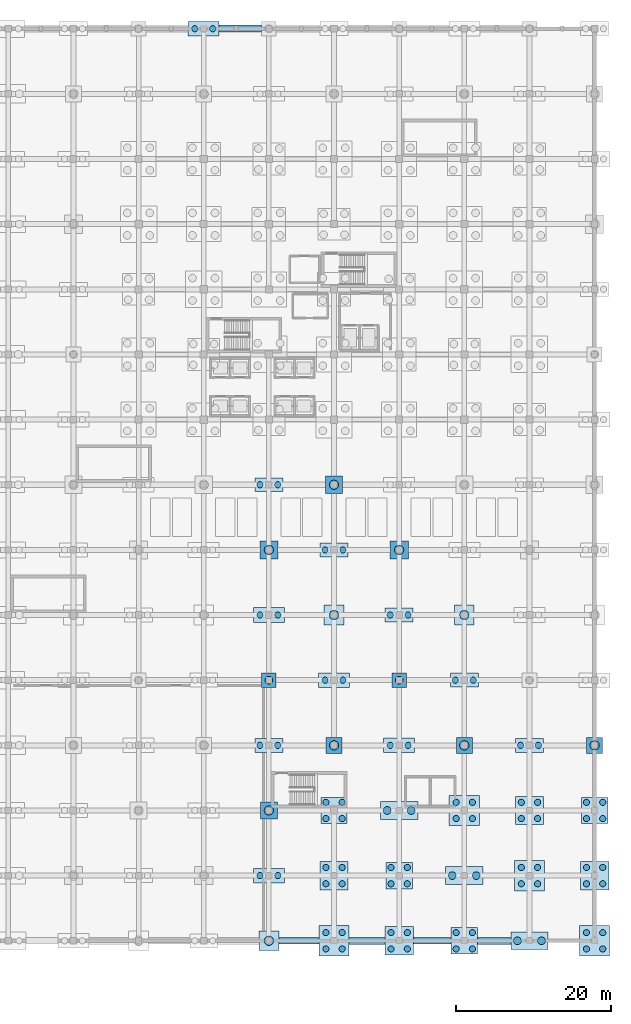
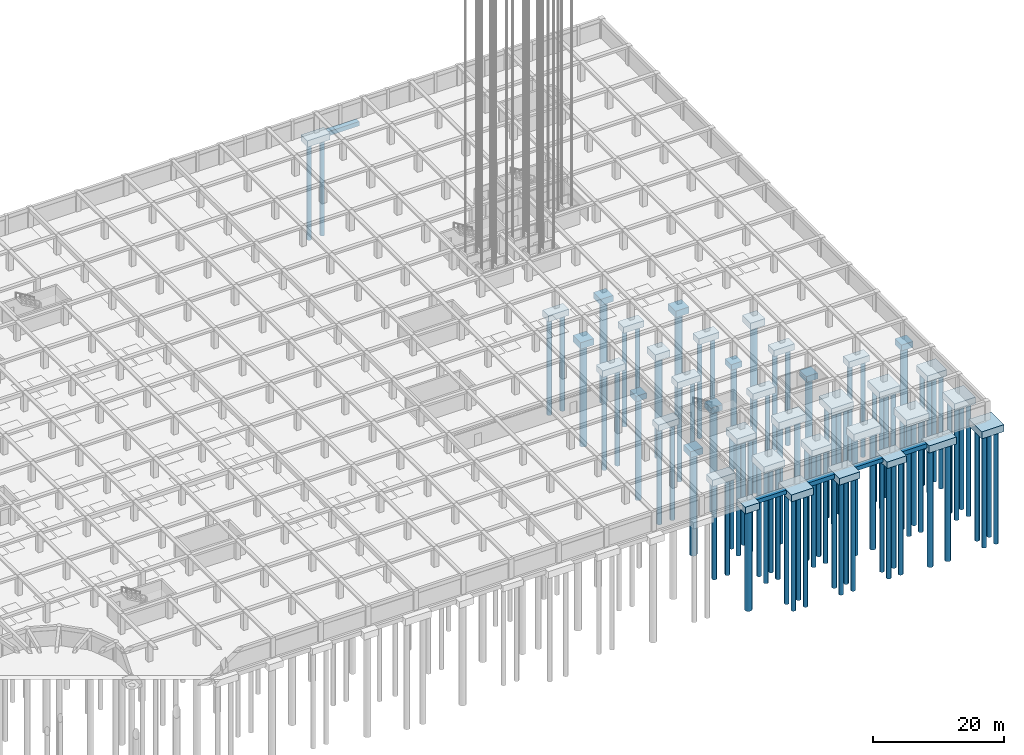
# One storey, part 6 of 47: 88 piles, 43 footings.
"""IFC4 building model written with IfcOpenShell, lengths in metres."""

from ifc_helpers import new_model, si_unit, direction, frame, origin, origin_2d, place, context, subcontext, project, spatial, rectangle, circle, extrude, material, layer, layer_set, material_profile, profile_set, type_object, element, save


model = new_model("IFC4")

# Units and contexts
model_context = context("Model", 3, precision=1e-05, world=origin(), true_north=direction((0.0, 1.0)))
body_context = subcontext(model_context, "Body", "Model", "MODEL_VIEW")
ifc_project = project(units=[si_unit("LENGTHUNIT", "METRE"), si_unit("AREAUNIT", "SQUARE_METRE"), si_unit("VOLUMEUNIT", "CUBIC_METRE"), si_unit("PLANEANGLEUNIT", "RADIAN"), si_unit("MASSUNIT", "GRAM", prefix="KILO")], contexts=[model_context])

# Site, building, storey
site_placement = place(None, origin())
site = spatial("IfcSite", under=ifc_project, at=site_placement, CompositionType="ELEMENT")
building_placement = place(site_placement, origin())
building = spatial("IfcBuilding", under=site, at=building_placement, Name="Almacenes y Pasaje Nevantli", CompositionType="ELEMENT")
storey_placement = place(building_placement, frame((0.0, 0.0, -8.10009765625)))
storey = spatial("IfcBuildingStorey", under=building, at=storey_placement, Name="B02", CompositionType="ELEMENT", Elevation=-8.10009765625)

# Footings
ifc_material_1 = material(Name="Concrete C45/55", Category="concrete")
ifc_layer_1 = layer(ifc_material_1, 1.35009765625)
ifc_layer_set_1 = layer_set([ifc_layer_1], Name="Concrete C45/55")
footing_type_1 = type_object("IfcFootingType", Name="FT-PC-05", PredefinedType="PILE_CAP", material=ifc_layer_set_1)
for number, where, z_axis, x_axis, name in (
    (1, (142.800048828125, 16.800048828125, -1.849853515625), (0.0, 0.0, 1.0), (1.0, 0.0, 0.0), "Reinforced Concrete Pile Cap PC-05 #250"),
    (2, (151.199951171875, 8.39990234375, -1.849853515625), (0.0, 0.0, 1.0), (1.0, 0.0, 0.0), "Reinforced Concrete Pile Cap PC-05 #264"),
    (3, (159.60009765625, 0.0, -1.849853515625), (0.0, 0.0, 1.0), (1.0, 0.0, 0.0), "Reinforced Concrete Pile Cap PC-05 #278"),
):
    element("IfcFooting", number, at=place(storey_placement, frame(where, z_axis=z_axis, x_axis=x_axis)), inside=storey, type_object=footing_type_1, Name=name, PredefinedType="PILE_CAP", context=body_context, shape_type="SweptSolid", body=[
        extrude(rectangle(XDim=4.800048828125, YDim=2.300048828125, at=origin_2d()), origin(), (0.0, 0.0, 1.0), 1.35009765625),
    ])
ifc_material_2 = material(Name="Concrete C45/55", Category="concrete")
ifc_layer_2 = layer(ifc_material_2, 1.199951171875)
ifc_layer_set_2 = layer_set([ifc_layer_2], Name="Concrete C45/55")
footing_type_2 = type_object("IfcFootingType", Name="FT-PC-09", PredefinedType="PILE_CAP", material=ifc_layer_set_2)
for number, where, z_axis, x_axis, name in (
    (4, (117.60009765625, 117.60009765625, -1.69970703125), (0.0, 0.0, 1.0), (1.0, 0.0, 0.0), "Reinforced Concrete Pile Cap PC-09 #217"),
    (5, (126.0, 8.39990234375, -1.69970703125), (0.0, 0.0, 1.0), (1.0, 0.0, 0.0), "Reinforced Concrete Pile Cap PC-09 #219"),
    (6, (126.0, 42.0, -1.69970703125), (0.0, 0.0, 1.0), (1.0, 0.0, 0.0), "Reinforced Concrete Pile Cap PC-09 #223"),
    (7, (134.39990234375, 33.60009765625, -1.69970703125), (0.0, 0.0, 1.0), (1.0, 0.0, 0.0), "Reinforced Concrete Pile Cap PC-09 #237"),
    (8, (142.800048828125, 25.199951171875, -1.69970703125), (0.0, 0.0, 1.0), (1.0, 0.0, 0.0), "Reinforced Concrete Pile Cap PC-09 #251"),
):
    element("IfcFooting", number, at=place(storey_placement, frame(where, z_axis=z_axis, x_axis=x_axis)), inside=storey, type_object=footing_type_2, Name=name, PredefinedType="PILE_CAP", context=body_context, shape_type="SweptSolid", body=[
        extrude(rectangle(XDim=4.0, YDim=1.89990234375, at=origin_2d()), origin(), (0.0, 0.0, 1.0), 1.199951171875),
    ])
ifc_material_3 = material(Name="Concrete C45/55", Category="concrete")
ifc_layer_3 = layer(ifc_material_3, 1.14990234375)
ifc_layer_set_3 = layer_set([ifc_layer_3], Name="Concrete C45/55")
footing_type_3 = type_object("IfcFootingType", Name="FT-PC-11", PredefinedType="PILE_CAP", material=ifc_layer_set_3)
for number, where, z_axis, x_axis, name in (
    (9, (126.0, 25.199951171875, -1.64990234375), (0.0, 0.0, 1.0), (1.0, 0.0, 0.0), "Reinforced Concrete Pile Cap PC-11 #221"),
    (10, (126.0, 58.800048828125, -1.64990234375), (0.0, 0.0, 1.0), (1.0, 0.0, 0.0), "Reinforced Concrete Pile Cap PC-11 #225"),
    (11, (134.39990234375, 50.39990234375, -1.64990234375), (0.0, 0.0, 1.0), (1.0, 0.0, 0.0), "Reinforced Concrete Pile Cap PC-11 #239"),
    (12, (142.800048828125, 42.0, -1.64990234375), (0.0, 0.0, 1.0), (1.0, 0.0, 0.0), "Reinforced Concrete Pile Cap PC-11 #253"),
    (13, (151.199951171875, 33.60009765625, -1.64990234375), (0.0, 0.0, 1.0), (1.0, 0.0, 0.0), "Reinforced Concrete Pile Cap PC-11 #267"),
    (14, (159.60009765625, 25.199951171875, -1.64990234375), (0.0, 0.0, 1.0), (1.0, 0.0, 0.0), "Reinforced Concrete Pile Cap PC-11 #281"),
):
    element("IfcFooting", number, at=place(storey_placement, frame(where, z_axis=z_axis, x_axis=x_axis)), inside=storey, type_object=footing_type_3, Name=name, PredefinedType="PILE_CAP", context=body_context, shape_type="SweptSolid", body=[
        extrude(rectangle(XDim=3.60009765625, YDim=1.800048828125, at=origin_2d()), origin(), (0.0, 0.0, 1.0), 1.14990234375),
    ])
ifc_material_4 = material(Name="Concrete C45/55", Category="concrete")
ifc_layer_4 = layer(ifc_material_4, 1.300048828125)
ifc_layer_set_4 = layer_set([ifc_layer_4], Name="Concrete C45/55")
footing_type_4 = type_object("IfcFootingType", Name="FT-PC-12", PredefinedType="PILE_CAP", material=ifc_layer_set_4)
for number, where, z_axis, x_axis, name in (
    (15, (134.39990234375, 0.0, -1.7998046875), (0.0, 0.0, 1.0), (1.0, 0.0, 0.0), "Reinforced Concrete Pile Cap PC-12 #233"),
    (16, (151.199951171875, 16.800048828125, -1.7998046875), (0.0, 0.0, 1.0), (1.0, 0.0, 0.0), "Reinforced Concrete Pile Cap PC-12 #265"),
    (17, (159.60009765625, 8.39990234375, -1.7998046875), (0.0, 0.0, 1.0), (1.0, 0.0, 0.0), "Reinforced Concrete Pile Cap PC-12 #279"),
    (18, (168.0, 0.0, -1.7998046875), (0.0, 0.0, 1.0), (1.0, 0.0, 0.0), "Reinforced Concrete Pile Cap PC-12 #293"),
):
    element("IfcFooting", number, at=place(storey_placement, frame(where, z_axis=z_axis, x_axis=x_axis)), inside=storey, type_object=footing_type_4, Name=name, PredefinedType="PILE_CAP", context=body_context, shape_type="SweptSolid", body=[
        extrude(rectangle(XDim=3.89990234375, YDim=3.89990234375, at=origin_2d()), origin(), (0.0, 0.0, 1.0), 1.300048828125),
    ])
ifc_material_5 = material(Name="Concrete C45/55", Category="concrete")
ifc_layer_5 = layer(ifc_material_5, 1.25)
ifc_layer_set_5 = layer_set([ifc_layer_5], Name="Concrete C45/55")
footing_type_5 = type_object("IfcFootingType", Name="FT-PC-13", PredefinedType="PILE_CAP", material=ifc_layer_set_5)
for number, where, z_axis, x_axis, name in (
    (19, (134.39990234375, 8.39990234375, -1.75), (0.0, 0.0, 1.0), (1.0, 0.0, 0.0), "Reinforced Concrete Pile Cap PC-13 #234"),
    (20, (142.800048828125, 0.0, -1.75), (0.0, 0.0, 1.0), (1.0, 0.0, 0.0), "Reinforced Concrete Pile Cap PC-13 #248"),
    (21, (159.60009765625, 16.800048828125, -1.75), (0.0, 0.0, 1.0), (1.0, 0.0, 0.0), "Reinforced Concrete Pile Cap PC-13 #280"),
    (22, (168.0, 8.39990234375, -1.75), (0.0, 0.0, 1.0), (1.0, 0.0, 0.0), "Reinforced Concrete Pile Cap PC-13 #294"),
):
    element("IfcFooting", number, at=place(storey_placement, frame(where, z_axis=z_axis, x_axis=x_axis)), inside=storey, type_object=footing_type_5, Name=name, PredefinedType="PILE_CAP", context=body_context, shape_type="SweptSolid", body=[
        extrude(rectangle(XDim=3.64990234375, YDim=3.64990234375, at=origin_2d()), origin(), (0.0, 0.0, 1.0), 1.25),
    ])
ifc_material_6 = material(Name="Concrete C45/55", Category="concrete")
ifc_layer_6 = layer(ifc_material_6, 1.199951171875)
ifc_layer_set_6 = layer_set([ifc_layer_6], Name="Concrete C45/55")
footing_type_6 = type_object("IfcFootingType", Name="FT-PC-14", PredefinedType="PILE_CAP", material=ifc_layer_set_6)
for number, where, z_axis, x_axis, name in (
    (23, (134.39990234375, 16.800048828125, -1.69970703125), (0.0, 0.0, 1.0), (1.0, 0.0, 0.0), "Reinforced Concrete Pile Cap PC-14 #235"),
    (24, (142.800048828125, 8.39990234375, -1.69970703125), (0.0, 0.0, 1.0), (1.0, 0.0, 0.0), "Reinforced Concrete Pile Cap PC-14 #249"),
    (25, (151.199951171875, 0.0, -1.69970703125), (0.0, 0.0, 1.0), (1.0, 0.0, 0.0), "Reinforced Concrete Pile Cap PC-14 #263"),
    (26, (168.0, 16.800048828125, -1.69970703125), (0.0, 0.0, 1.0), (1.0, 0.0, 0.0), "Reinforced Concrete Pile Cap PC-14 #295"),
):
    element("IfcFooting", number, at=place(storey_placement, frame(where, z_axis=z_axis, x_axis=x_axis)), inside=storey, type_object=footing_type_6, Name=name, PredefinedType="PILE_CAP", context=body_context, shape_type="SweptSolid", body=[
        extrude(rectangle(XDim=3.39990234375, YDim=3.39990234375, at=origin_2d()), origin(), (0.0, 0.0, 1.0), 1.199951171875),
    ])
ifc_material_7 = material(Name="Concrete C45/55", Category="concrete")
ifc_layer_7 = layer(ifc_material_7, 1.25)
ifc_layer_set_7 = layer_set([ifc_layer_7], Name="Concrete C45/55")
footing_type_7 = type_object("IfcFootingType", Name="FT-PC-15", PredefinedType="PILE_CAP", material=ifc_layer_set_7)
for number, where, z_axis, x_axis, name in (
    (27, (126.0, 0.0, -1.75), (0.0, 0.0, 1.0), (1.0, 0.0, 0.0), "Reinforced Concrete Pile Cap PC-15 #218"),
    (28, (134.39990234375, 42.0, -1.75), (0.0, 0.0, 1.0), (1.0, 0.0, 0.0), "Reinforced Concrete Pile Cap PC-15 #238"),
    (29, (151.199951171875, 42.0, -1.75), (0.0, 0.0, 1.0), (1.0, 0.0, 0.0), "Reinforced Concrete Pile Cap PC-15 #268"),
):
    element("IfcFooting", number, at=place(storey_placement, frame(where, z_axis=z_axis, x_axis=x_axis)), inside=storey, type_object=footing_type_7, Name=name, PredefinedType="PILE_CAP", context=body_context, shape_type="SweptSolid", body=[
        extrude(rectangle(XDim=2.550048828125, YDim=2.550048828125, at=origin_2d()), origin(), (0.0, 0.0, 1.0), 1.25),
    ])
ifc_material_8 = material(Name="Concrete C45/55", Category="concrete")
ifc_layer_8 = layer(ifc_material_8, 1.199951171875)
ifc_layer_set_8 = layer_set([ifc_layer_8], Name="Concrete C45/55")
footing_type_8 = type_object("IfcFootingType", Name="FT-PC-16", PredefinedType="PILE_CAP", material=ifc_layer_set_8)
for number, where, z_axis, x_axis, name in (
    (30, (126.0, 50.39990234375, -1.69970703125), (0.0, 0.0, 1.0), (1.0, 0.0, 0.0), "Reinforced Concrete Pile Cap PC-16 #224"),
    (31, (142.800048828125, 50.39990234375, -1.69970703125), (0.0, 0.0, 1.0), (1.0, 0.0, 0.0), "Reinforced Concrete Pile Cap PC-16 #254"),
):
    element("IfcFooting", number, at=place(storey_placement, frame(where, z_axis=z_axis, x_axis=x_axis)), inside=storey, type_object=footing_type_8, Name=name, PredefinedType="PILE_CAP", context=body_context, shape_type="SweptSolid", body=[
        extrude(rectangle(XDim=2.35009765625, YDim=2.35009765625, at=origin_2d()), origin(), (0.0, 0.0, 1.0), 1.199951171875),
    ])
ifc_material_9 = material(Name="Concrete C45/55", Category="concrete")
ifc_layer_9 = layer(ifc_material_9, 1.14990234375)
ifc_layer_set_9 = layer_set([ifc_layer_9], Name="Concrete C45/55")
footing_type_9 = type_object("IfcFootingType", Name="FT-PC-17", PredefinedType="PILE_CAP", material=ifc_layer_set_9)
for number, where, z_axis, x_axis, name in (
    (32, (126.0, 16.800048828125, -1.64990234375), (0.0, 0.0, 1.0), (1.0, 0.0, 0.0), "Reinforced Concrete Pile Cap PC-17 #220"),
    (33, (134.39990234375, 58.800048828125, -1.64990234375), (0.0, 0.0, 1.0), (1.0, 0.0, 0.0), "Reinforced Concrete Pile Cap PC-17 #240"),
):
    element("IfcFooting", number, at=place(storey_placement, frame(where, z_axis=z_axis, x_axis=x_axis)), inside=storey, type_object=footing_type_9, Name=name, PredefinedType="PILE_CAP", context=body_context, shape_type="SweptSolid", body=[
        extrude(rectangle(XDim=2.199951171875, YDim=2.199951171875, at=origin_2d()), origin(), (0.0, 0.0, 1.0), 1.14990234375),
    ])
ifc_material_10 = material(Name="Concrete C45/55", Category="concrete")
ifc_layer_10 = layer(ifc_material_10, 1.10009765625)
ifc_layer_set_10 = layer_set([ifc_layer_10], Name="Concrete C45/55")
footing_type_10 = type_object("IfcFootingType", Name="FT-PC-18", PredefinedType="PILE_CAP", material=ifc_layer_set_10)
for number, where, z_axis, x_axis, name in (
    (34, (134.39990234375, 25.199951171875, -1.599853515625), (0.0, 0.0, 1.0), (1.0, 0.0, 0.0), "Reinforced Concrete Pile Cap PC-18 #236"),
    (35, (151.199951171875, 25.199951171875, -1.599853515625), (0.0, 0.0, 1.0), (1.0, 0.0, 0.0), "Reinforced Concrete Pile Cap PC-18 #266"),
    (36, (168.0, 25.199951171875, -1.599853515625), (0.0, 0.0, 1.0), (1.0, 0.0, 0.0), "Reinforced Concrete Pile Cap PC-18 #296"),
):
    element("IfcFooting", number, at=place(storey_placement, frame(where, z_axis=z_axis, x_axis=x_axis)), inside=storey, type_object=footing_type_10, Name=name, PredefinedType="PILE_CAP", context=body_context, shape_type="SweptSolid", body=[
        extrude(rectangle(XDim=2.050048828125, YDim=2.050048828125, at=origin_2d()), origin(), (0.0, 0.0, 1.0), 1.10009765625),
    ])
ifc_material_11 = material(Name="Concrete C45/55", Category="concrete")
ifc_layer_11 = layer(ifc_material_11, 1.050048828125)
ifc_layer_set_11 = layer_set([ifc_layer_11], Name="Concrete C45/55")
footing_type_11 = type_object("IfcFootingType", Name="FT-PC-19", PredefinedType="PILE_CAP", material=ifc_layer_set_11)
for number, where, z_axis, x_axis, name in (
    (37, (126.0, 33.60009765625, -1.5498046875), (0.0, 0.0, 1.0), (1.0, 0.0, 0.0), "Reinforced Concrete Pile Cap PC-19 #222"),
    (38, (142.800048828125, 33.60009765625, -1.5498046875), (0.0, 0.0, 1.0), (1.0, 0.0, 0.0), "Reinforced Concrete Pile Cap PC-19 #252"),
):
    element("IfcFooting", number, at=place(storey_placement, frame(where, z_axis=z_axis, x_axis=x_axis)), inside=storey, type_object=footing_type_11, Name=name, PredefinedType="PILE_CAP", context=body_context, shape_type="SweptSolid", body=[
        extrude(rectangle(XDim=1.89990234375, YDim=1.89990234375, at=origin_2d()), origin(), (0.0, 0.0, 1.0), 1.050048828125),
    ])
ifc_material_12 = material(Name="Concrete C45/55", Category="concrete")
ifc_layer_12 = layer(ifc_material_12, 0.800048828125)
ifc_layer_set_12 = layer_set([ifc_layer_12], Name="Concrete C45/55")
footing_type_12 = type_object("IfcFootingType", Name="FT-SF-01", PredefinedType="STRIP_FOOTING", material=ifc_layer_set_12)
footing_1_placement = place(storey_placement, frame((122.324951171875, 117.60009765625, -1.2998046875), z_axis=(0.0, 0.0, 1.0), x_axis=(1.0, 0.0, 0.0)))
element("IfcFooting", 39, at=footing_1_placement, inside=storey, type_object=footing_type_12, Name="Continuous Perimeter Strip Footing #15", PredefinedType="STRIP_FOOTING", context=body_context, shape_type="SweptSolid", body=[
    extrude(rectangle(XDim=5.449951171875, YDim=0.89990234375, at=origin_2d()), origin(), (0.0, 0.0, 1.0), 0.800048828125),
])
footing_2_placement = place(storey_placement, frame((138.66259765625, 0.0, -1.2998046875), z_axis=(0.0, 0.0, 1.0), x_axis=(1.0, 0.0, 0.0)))
element("IfcFooting", 40, at=footing_2_placement, inside=storey, type_object=footing_type_12, Name="Continuous Perimeter Strip Footing #33", PredefinedType="STRIP_FOOTING", context=body_context, shape_type="SweptSolid", body=[
    extrude(rectangle(XDim=4.625, YDim=0.89990234375, at=origin_2d()), origin(), (0.0, 0.0, 1.0), 0.800048828125),
])
footing_3_placement = place(storey_placement, frame((155.050048828125, 0.0, -1.2998046875), z_axis=(0.0, 0.0, 1.0), x_axis=(1.0, 0.0, 0.0)))
element("IfcFooting", 41, at=footing_3_placement, inside=storey, type_object=footing_type_12, Name="Continuous Perimeter Strip Footing #35", PredefinedType="STRIP_FOOTING", context=body_context, shape_type="SweptSolid", body=[
    extrude(rectangle(XDim=4.300048828125, YDim=0.89990234375, at=origin_2d()), origin(), (0.0, 0.0, 1.0), 0.800048828125),
])
ifc_material_13 = material(Name="Concrete C45/55", Category="concrete")
ifc_layer_13 = layer(ifc_material_13, 0.75)
ifc_layer_set_13 = layer_set([ifc_layer_13], Name="Concrete C45/55")
footing_type_13 = type_object("IfcFootingType", Name="FT-SF-02", PredefinedType="STRIP_FOOTING", material=ifc_layer_set_13)
footing_4_placement = place(storey_placement, frame((129.862548828125, 0.0, -1.25), z_axis=(0.0, 0.0, 1.0), x_axis=(1.0, 0.0, 0.0)))
element("IfcFooting", 42, at=footing_4_placement, inside=storey, type_object=footing_type_13, Name="Continuous Perimeter Strip Footing #32", PredefinedType="STRIP_FOOTING", context=body_context, shape_type="SweptSolid", body=[
    extrude(rectangle(XDim=5.175048828125, YDim=0.85009765625, at=origin_2d()), origin(), (0.0, 0.0, 1.0), 0.75),
])
footing_5_placement = place(storey_placement, frame((147.0625, 0.0, -1.25), z_axis=(0.0, 0.0, 1.0), x_axis=(1.0, 0.0, 0.0)))
element("IfcFooting", 43, at=footing_5_placement, inside=storey, type_object=footing_type_13, Name="Continuous Perimeter Strip Footing #34", PredefinedType="STRIP_FOOTING", context=body_context, shape_type="SweptSolid", body=[
    extrude(rectangle(XDim=4.875, YDim=0.85009765625, at=origin_2d()), origin(), (0.0, 0.0, 1.0), 0.75),
])

# Piles
ifc_material_14 = material(Name="Concrete C45/55", Category="concrete")
ifc_material_profile_1 = material_profile(ifc_material_14, circle(Radius=0.5, at=origin_2d()), Name="RC-PILE-D1000")
ifc_profile_set_1 = profile_set([ifc_material_profile_1], Name="Concrete C45/55")
pile_type_1 = type_object("IfcPileType", Name="PL-BORED-1000", PredefinedType="BORED", material=ifc_profile_set_1)
pile_1_placement = place(storey_placement, frame((126.0, 33.60009765625, -1.5), z_axis=(0.0, 0.0, -1.0), x_axis=(1.0, 0.0, 0.0)))
element("IfcPile", 44, at=pile_1_placement, inside=storey, type_object=pile_type_1, Name="Bored Pile PL-1000 #383", PredefinedType="BORED", context=body_context, shape_type="SweptSolid", body=[
    extrude(circle(Radius=0.5, at=origin_2d()), origin(), (0.0, 0.0, 1.0), 19.0),
])
for number, where, z_axis, x_axis, name in (
    (45, (141.25, 16.800048828125, -1.7998046875), (0.0, 0.0, -1.0), (1.0, 0.0, 0.0), "Bored Pile PL-1000 #462"),
    (46, (144.35009765625, 16.800048828125, -1.7998046875), (0.0, 0.0, -1.0), (1.0, 0.0, 0.0), "Bored Pile PL-1000 #463"),
):
    element("IfcPile", number, at=place(storey_placement, frame(where, z_axis=z_axis, x_axis=x_axis)), inside=storey, type_object=pile_type_1, Name=name, PredefinedType="BORED", context=body_context, shape_type="SweptSolid", body=[
        extrude(circle(Radius=0.5, at=origin_2d()), origin(), (0.0, 0.0, 1.0), 22.0),
    ])
pile_2_placement = place(storey_placement, frame((142.800048828125, 33.60009765625, -1.5), z_axis=(0.0, 0.0, -1.0), x_axis=(1.0, 0.0, 0.0)))
element("IfcPile", 47, at=pile_2_placement, inside=storey, type_object=pile_type_1, Name="Bored Pile PL-1000 #466", PredefinedType="BORED", context=body_context, shape_type="SweptSolid", body=[
    extrude(circle(Radius=0.5, at=origin_2d()), origin(), (0.0, 0.0, 1.0), 19.0),
])
for number, where, z_axis, x_axis, name in (
    (48, (149.64990234375, 8.39990234375, -1.7998046875), (0.0, 0.0, -1.0), (1.0, 0.0, 0.0), "Bored Pile PL-1000 #499"),
    (49, (152.75, 8.39990234375, -1.7998046875), (0.0, 0.0, -1.0), (1.0, 0.0, 0.0), "Bored Pile PL-1000 #500"),
    (50, (158.050048828125, 0.0, -1.7998046875), (0.0, 0.0, -1.0), (1.0, 0.0, 0.0), "Bored Pile PL-1000 #535"),
    (51, (161.14990234375, 0.0, -1.7998046875), (0.0, 0.0, -1.0), (1.0, 0.0, 0.0), "Bored Pile PL-1000 #536"),
):
    element("IfcPile", number, at=place(storey_placement, frame(where, z_axis=z_axis, x_axis=x_axis)), inside=storey, type_object=pile_type_1, Name=name, PredefinedType="BORED", context=body_context, shape_type="SweptSolid", body=[
        extrude(circle(Radius=0.5, at=origin_2d()), origin(), (0.0, 0.0, 1.0), 22.0),
    ])
ifc_material_15 = material(Name="Concrete C45/55", Category="concrete")
ifc_material_profile_2 = material_profile(ifc_material_15, circle(Radius=0.60009765625, at=origin_2d()), Name="RC-PILE-D1200")
ifc_profile_set_2 = profile_set([ifc_material_profile_2], Name="Concrete C45/55")
pile_type_2 = type_object("IfcPileType", Name="PL-BORED-1200", PredefinedType="BORED", material=ifc_profile_set_2)
for number, where, z_axis, x_axis, name in (
    (52, (126.0, 0.0, -1.699951171875), (0.0, 0.0, -1.0), (1.0, 0.0, 0.0), "Bored Pile PL-1200 #377"),
    (53, (126.0, 16.800048828125, -1.599853515625), (0.0, 0.0, -1.0), (1.0, 0.0, 0.0), "Bored Pile PL-1200 #380"),
    (54, (126.0, 50.39990234375, -1.64990234375), (0.0, 0.0, -1.0), (1.0, 0.0, 0.0), "Bored Pile PL-1200 #386"),
    (55, (134.39990234375, 25.199951171875, -1.5498046875), (0.0, 0.0, -1.0), (1.0, 0.0, 0.0), "Bored Pile PL-1200 #424"),
    (56, (134.39990234375, 42.0, -1.699951171875), (0.0, 0.0, -1.0), (1.0, 0.0, 0.0), "Bored Pile PL-1200 #427"),
    (57, (134.39990234375, 58.800048828125, -1.599853515625), (0.0, 0.0, -1.0), (1.0, 0.0, 0.0), "Bored Pile PL-1200 #430"),
    (58, (142.800048828125, 50.39990234375, -1.64990234375), (0.0, 0.0, -1.0), (1.0, 0.0, 0.0), "Bored Pile PL-1200 #469"),
    (59, (151.199951171875, 25.199951171875, -1.5498046875), (0.0, 0.0, -1.0), (1.0, 0.0, 0.0), "Bored Pile PL-1200 #505"),
    (60, (151.199951171875, 42.0, -1.699951171875), (0.0, 0.0, -1.0), (1.0, 0.0, 0.0), "Bored Pile PL-1200 #508"),
    (61, (168.0, 25.199951171875, -1.5498046875), (0.0, 0.0, -1.0), (1.0, 0.0, 0.0), "Bored Pile PL-1200 #588"),
):
    element("IfcPile", number, at=place(storey_placement, frame(where, z_axis=z_axis, x_axis=x_axis)), inside=storey, type_object=pile_type_2, Name=name, PredefinedType="BORED", context=body_context, shape_type="SweptSolid", body=[
        extrude(circle(Radius=0.60009765625, at=origin_2d()), origin(), (0.0, 0.0, 1.0), 19.0),
    ])
ifc_material_16 = material(Name="Concrete C45/55", Category="concrete")
ifc_material_profile_3 = material_profile(ifc_material_16, circle(Radius=0.39990234375, at=origin_2d()), Name="RC-PILE-D800")
ifc_profile_set_3 = profile_set([ifc_material_profile_3], Name="Concrete C45/55")
pile_type_3 = type_object("IfcPileType", Name="PL-BORED-800", PredefinedType="BORED", material=ifc_profile_set_3)
for number, where, z_axis, x_axis, name in (
    (62, (116.449951171875, 117.60009765625, -1.64990234375), (0.0, 0.0, -1.0), (1.0, 0.0, 0.0), "Bored Pile PL-800 #375"),
    (63, (118.75, 117.60009765625, -1.64990234375), (0.0, 0.0, -1.0), (1.0, 0.0, 0.0), "Bored Pile PL-800 #376"),
    (64, (124.85009765625, 8.39990234375, -1.64990234375), (0.0, 0.0, -1.0), (1.0, 0.0, 0.0), "Bored Pile PL-800 #378"),
    (65, (127.14990234375, 8.39990234375, -1.64990234375), (0.0, 0.0, -1.0), (1.0, 0.0, 0.0), "Bored Pile PL-800 #379"),
    (66, (124.85009765625, 25.199951171875, -1.599853515625), (0.0, 0.0, -1.0), (1.0, 0.0, 0.0), "Bored Pile PL-800 #381"),
    (67, (127.14990234375, 25.199951171875, -1.599853515625), (0.0, 0.0, -1.0), (1.0, 0.0, 0.0), "Bored Pile PL-800 #382"),
    (68, (124.85009765625, 42.0, -1.64990234375), (0.0, 0.0, -1.0), (1.0, 0.0, 0.0), "Bored Pile PL-800 #384"),
    (69, (127.14990234375, 42.0, -1.64990234375), (0.0, 0.0, -1.0), (1.0, 0.0, 0.0), "Bored Pile PL-800 #385"),
    (70, (124.85009765625, 58.800048828125, -1.599853515625), (0.0, 0.0, -1.0), (1.0, 0.0, 0.0), "Bored Pile PL-800 #387"),
    (71, (127.14990234375, 58.800048828125, -1.599853515625), (0.0, 0.0, -1.0), (1.0, 0.0, 0.0), "Bored Pile PL-800 #388"),
):
    element("IfcPile", number, at=place(storey_placement, frame(where, z_axis=z_axis, x_axis=x_axis)), inside=storey, type_object=pile_type_3, Name=name, PredefinedType="BORED", context=body_context, shape_type="SweptSolid", body=[
        extrude(circle(Radius=0.39990234375, at=origin_2d()), origin(), (0.0, 0.0, 1.0), 18.0),
    ])
for number, where, z_axis, x_axis, name in (
    (72, (133.35009765625, -1.050048828125, -1.75), (0.0, 0.0, -1.0), (1.0, 0.0, 0.0), "Bored Pile PL-800 #412"),
    (73, (135.449951171875, -1.050048828125, -1.75), (0.0, 0.0, -1.0), (1.0, 0.0, 0.0), "Bored Pile PL-800 #413"),
    (74, (133.35009765625, 1.050048828125, -1.75), (0.0, 0.0, -1.0), (1.0, 0.0, 0.0), "Bored Pile PL-800 #414"),
    (75, (135.449951171875, 1.050048828125, -1.75), (0.0, 0.0, -1.0), (1.0, 0.0, 0.0), "Bored Pile PL-800 #415"),
    (76, (133.35009765625, 7.35009765625, -1.699951171875), (0.0, 0.0, -1.0), (1.0, 0.0, 0.0), "Bored Pile PL-800 #416"),
    (77, (135.449951171875, 7.35009765625, -1.699951171875), (0.0, 0.0, -1.0), (1.0, 0.0, 0.0), "Bored Pile PL-800 #417"),
    (78, (133.35009765625, 9.449951171875, -1.699951171875), (0.0, 0.0, -1.0), (1.0, 0.0, 0.0), "Bored Pile PL-800 #418"),
    (79, (135.449951171875, 9.449951171875, -1.699951171875), (0.0, 0.0, -1.0), (1.0, 0.0, 0.0), "Bored Pile PL-800 #419"),
    (80, (133.35009765625, 15.75, -1.64990234375), (0.0, 0.0, -1.0), (1.0, 0.0, 0.0), "Bored Pile PL-800 #420"),
    (81, (135.449951171875, 15.75, -1.64990234375), (0.0, 0.0, -1.0), (1.0, 0.0, 0.0), "Bored Pile PL-800 #421"),
    (82, (133.35009765625, 17.85009765625, -1.64990234375), (0.0, 0.0, -1.0), (1.0, 0.0, 0.0), "Bored Pile PL-800 #422"),
    (83, (135.449951171875, 17.85009765625, -1.64990234375), (0.0, 0.0, -1.0), (1.0, 0.0, 0.0), "Bored Pile PL-800 #423"),
):
    element("IfcPile", number, at=place(storey_placement, frame(where, z_axis=z_axis, x_axis=x_axis)), inside=storey, type_object=pile_type_3, Name=name, PredefinedType="BORED", context=body_context, shape_type="SweptSolid", body=[
        extrude(circle(Radius=0.39990234375, at=origin_2d()), origin(), (0.0, 0.0, 1.0), 21.0),
    ])
for number, where, z_axis, x_axis, name in (
    (84, (133.25, 33.60009765625, -1.64990234375), (0.0, 0.0, -1.0), (1.0, 0.0, 0.0), "Bored Pile PL-800 #425"),
    (85, (135.550048828125, 33.60009765625, -1.64990234375), (0.0, 0.0, -1.0), (1.0, 0.0, 0.0), "Bored Pile PL-800 #426"),
    (86, (133.25, 50.39990234375, -1.599853515625), (0.0, 0.0, -1.0), (1.0, 0.0, 0.0), "Bored Pile PL-800 #428"),
    (87, (135.550048828125, 50.39990234375, -1.599853515625), (0.0, 0.0, -1.0), (1.0, 0.0, 0.0), "Bored Pile PL-800 #429"),
):
    element("IfcPile", number, at=place(storey_placement, frame(where, z_axis=z_axis, x_axis=x_axis)), inside=storey, type_object=pile_type_3, Name=name, PredefinedType="BORED", context=body_context, shape_type="SweptSolid", body=[
        extrude(circle(Radius=0.39990234375, at=origin_2d()), origin(), (0.0, 0.0, 1.0), 18.0),
    ])
for number, where, z_axis, x_axis, name in (
    (88, (141.75, -1.050048828125, -1.699951171875), (0.0, 0.0, -1.0), (1.0, 0.0, 0.0), "Bored Pile PL-800 #454"),
    (89, (143.85009765625, -1.050048828125, -1.699951171875), (0.0, 0.0, -1.0), (1.0, 0.0, 0.0), "Bored Pile PL-800 #455"),
    (90, (141.75, 1.050048828125, -1.699951171875), (0.0, 0.0, -1.0), (1.0, 0.0, 0.0), "Bored Pile PL-800 #456"),
    (91, (143.85009765625, 1.050048828125, -1.699951171875), (0.0, 0.0, -1.0), (1.0, 0.0, 0.0), "Bored Pile PL-800 #457"),
    (92, (141.75, 7.35009765625, -1.64990234375), (0.0, 0.0, -1.0), (1.0, 0.0, 0.0), "Bored Pile PL-800 #458"),
    (93, (143.85009765625, 7.35009765625, -1.64990234375), (0.0, 0.0, -1.0), (1.0, 0.0, 0.0), "Bored Pile PL-800 #459"),
    (94, (141.75, 9.449951171875, -1.64990234375), (0.0, 0.0, -1.0), (1.0, 0.0, 0.0), "Bored Pile PL-800 #460"),
    (95, (143.85009765625, 9.449951171875, -1.64990234375), (0.0, 0.0, -1.0), (1.0, 0.0, 0.0), "Bored Pile PL-800 #461"),
):
    element("IfcPile", number, at=place(storey_placement, frame(where, z_axis=z_axis, x_axis=x_axis)), inside=storey, type_object=pile_type_3, Name=name, PredefinedType="BORED", context=body_context, shape_type="SweptSolid", body=[
        extrude(circle(Radius=0.39990234375, at=origin_2d()), origin(), (0.0, 0.0, 1.0), 21.0),
    ])
for number, where, z_axis, x_axis, name in (
    (96, (141.64990234375, 25.199951171875, -1.64990234375), (0.0, 0.0, -1.0), (1.0, 0.0, 0.0), "Bored Pile PL-800 #464"),
    (97, (143.949951171875, 25.199951171875, -1.64990234375), (0.0, 0.0, -1.0), (1.0, 0.0, 0.0), "Bored Pile PL-800 #465"),
    (98, (141.64990234375, 42.0, -1.599853515625), (0.0, 0.0, -1.0), (1.0, 0.0, 0.0), "Bored Pile PL-800 #467"),
    (99, (143.949951171875, 42.0, -1.599853515625), (0.0, 0.0, -1.0), (1.0, 0.0, 0.0), "Bored Pile PL-800 #468"),
):
    element("IfcPile", number, at=place(storey_placement, frame(where, z_axis=z_axis, x_axis=x_axis)), inside=storey, type_object=pile_type_3, Name=name, PredefinedType="BORED", context=body_context, shape_type="SweptSolid", body=[
        extrude(circle(Radius=0.39990234375, at=origin_2d()), origin(), (0.0, 0.0, 1.0), 18.0),
    ])
for number, where, z_axis, x_axis, name in (
    (100, (150.14990234375, -1.050048828125, -1.64990234375), (0.0, 0.0, -1.0), (1.0, 0.0, 0.0), "Bored Pile PL-800 #495"),
    (101, (152.25, -1.050048828125, -1.64990234375), (0.0, 0.0, -1.0), (1.0, 0.0, 0.0), "Bored Pile PL-800 #496"),
    (102, (150.14990234375, 1.050048828125, -1.64990234375), (0.0, 0.0, -1.0), (1.0, 0.0, 0.0), "Bored Pile PL-800 #497"),
    (103, (152.25, 1.050048828125, -1.64990234375), (0.0, 0.0, -1.0), (1.0, 0.0, 0.0), "Bored Pile PL-800 #498"),
    (104, (150.14990234375, 15.75, -1.75), (0.0, 0.0, -1.0), (1.0, 0.0, 0.0), "Bored Pile PL-800 #501"),
    (105, (152.25, 15.75, -1.75), (0.0, 0.0, -1.0), (1.0, 0.0, 0.0), "Bored Pile PL-800 #502"),
    (106, (150.14990234375, 17.85009765625, -1.75), (0.0, 0.0, -1.0), (1.0, 0.0, 0.0), "Bored Pile PL-800 #503"),
    (107, (152.25, 17.85009765625, -1.75), (0.0, 0.0, -1.0), (1.0, 0.0, 0.0), "Bored Pile PL-800 #504"),
):
    element("IfcPile", number, at=place(storey_placement, frame(where, z_axis=z_axis, x_axis=x_axis)), inside=storey, type_object=pile_type_3, Name=name, PredefinedType="BORED", context=body_context, shape_type="SweptSolid", body=[
        extrude(circle(Radius=0.39990234375, at=origin_2d()), origin(), (0.0, 0.0, 1.0), 21.0),
    ])
for number, where, z_axis, x_axis, name in (
    (108, (150.050048828125, 33.60009765625, -1.599853515625), (0.0, 0.0, -1.0), (1.0, 0.0, 0.0), "Bored Pile PL-800 #506"),
    (109, (152.35009765625, 33.60009765625, -1.599853515625), (0.0, 0.0, -1.0), (1.0, 0.0, 0.0), "Bored Pile PL-800 #507"),
):
    element("IfcPile", number, at=place(storey_placement, frame(where, z_axis=z_axis, x_axis=x_axis)), inside=storey, type_object=pile_type_3, Name=name, PredefinedType="BORED", context=body_context, shape_type="SweptSolid", body=[
        extrude(circle(Radius=0.39990234375, at=origin_2d()), origin(), (0.0, 0.0, 1.0), 18.0),
    ])
for number, where, z_axis, x_axis, name in (
    (110, (158.550048828125, 7.35009765625, -1.75), (0.0, 0.0, -1.0), (1.0, 0.0, 0.0), "Bored Pile PL-800 #537"),
    (111, (160.64990234375, 7.35009765625, -1.75), (0.0, 0.0, -1.0), (1.0, 0.0, 0.0), "Bored Pile PL-800 #538"),
    (112, (158.550048828125, 9.449951171875, -1.75), (0.0, 0.0, -1.0), (1.0, 0.0, 0.0), "Bored Pile PL-800 #539"),
    (113, (160.64990234375, 9.449951171875, -1.75), (0.0, 0.0, -1.0), (1.0, 0.0, 0.0), "Bored Pile PL-800 #540"),
    (114, (158.550048828125, 15.75, -1.699951171875), (0.0, 0.0, -1.0), (1.0, 0.0, 0.0), "Bored Pile PL-800 #541"),
    (115, (160.64990234375, 15.75, -1.699951171875), (0.0, 0.0, -1.0), (1.0, 0.0, 0.0), "Bored Pile PL-800 #542"),
    (116, (158.550048828125, 17.85009765625, -1.699951171875), (0.0, 0.0, -1.0), (1.0, 0.0, 0.0), "Bored Pile PL-800 #543"),
    (117, (160.64990234375, 17.85009765625, -1.699951171875), (0.0, 0.0, -1.0), (1.0, 0.0, 0.0), "Bored Pile PL-800 #544"),
):
    element("IfcPile", number, at=place(storey_placement, frame(where, z_axis=z_axis, x_axis=x_axis)), inside=storey, type_object=pile_type_3, Name=name, PredefinedType="BORED", context=body_context, shape_type="SweptSolid", body=[
        extrude(circle(Radius=0.39990234375, at=origin_2d()), origin(), (0.0, 0.0, 1.0), 21.0),
    ])
for number, where, z_axis, x_axis, name in (
    (118, (158.449951171875, 25.199951171875, -1.599853515625), (0.0, 0.0, -1.0), (1.0, 0.0, 0.0), "Bored Pile PL-800 #545"),
    (119, (160.75, 25.199951171875, -1.599853515625), (0.0, 0.0, -1.0), (1.0, 0.0, 0.0), "Bored Pile PL-800 #546"),
):
    element("IfcPile", number, at=place(storey_placement, frame(where, z_axis=z_axis, x_axis=x_axis)), inside=storey, type_object=pile_type_3, Name=name, PredefinedType="BORED", context=body_context, shape_type="SweptSolid", body=[
        extrude(circle(Radius=0.39990234375, at=origin_2d()), origin(), (0.0, 0.0, 1.0), 18.0),
    ])
for number, where, z_axis, x_axis, name in (
    (120, (166.949951171875, -1.050048828125, -1.75), (0.0, 0.0, -1.0), (1.0, 0.0, 0.0), "Bored Pile PL-800 #576"),
    (121, (169.050048828125, -1.050048828125, -1.75), (0.0, 0.0, -1.0), (1.0, 0.0, 0.0), "Bored Pile PL-800 #577"),
    (122, (166.949951171875, 1.050048828125, -1.75), (0.0, 0.0, -1.0), (1.0, 0.0, 0.0), "Bored Pile PL-800 #578"),
    (123, (169.050048828125, 1.050048828125, -1.75), (0.0, 0.0, -1.0), (1.0, 0.0, 0.0), "Bored Pile PL-800 #579"),
    (124, (166.949951171875, 7.35009765625, -1.699951171875), (0.0, 0.0, -1.0), (1.0, 0.0, 0.0), "Bored Pile PL-800 #580"),
    (125, (169.050048828125, 7.35009765625, -1.699951171875), (0.0, 0.0, -1.0), (1.0, 0.0, 0.0), "Bored Pile PL-800 #581"),
    (126, (166.949951171875, 9.449951171875, -1.699951171875), (0.0, 0.0, -1.0), (1.0, 0.0, 0.0), "Bored Pile PL-800 #582"),
    (127, (169.050048828125, 9.449951171875, -1.699951171875), (0.0, 0.0, -1.0), (1.0, 0.0, 0.0), "Bored Pile PL-800 #583"),
    (128, (166.949951171875, 15.75, -1.64990234375), (0.0, 0.0, -1.0), (1.0, 0.0, 0.0), "Bored Pile PL-800 #584"),
    (129, (169.050048828125, 15.75, -1.64990234375), (0.0, 0.0, -1.0), (1.0, 0.0, 0.0), "Bored Pile PL-800 #585"),
    (130, (166.949951171875, 17.85009765625, -1.64990234375), (0.0, 0.0, -1.0), (1.0, 0.0, 0.0), "Bored Pile PL-800 #586"),
    (131, (169.050048828125, 17.85009765625, -1.64990234375), (0.0, 0.0, -1.0), (1.0, 0.0, 0.0), "Bored Pile PL-800 #587"),
):
    element("IfcPile", number, at=place(storey_placement, frame(where, z_axis=z_axis, x_axis=x_axis)), inside=storey, type_object=pile_type_3, Name=name, PredefinedType="BORED", context=body_context, shape_type="SweptSolid", body=[
        extrude(circle(Radius=0.39990234375, at=origin_2d()), origin(), (0.0, 0.0, 1.0), 21.0),
    ])

save(model, "model.ifc")
